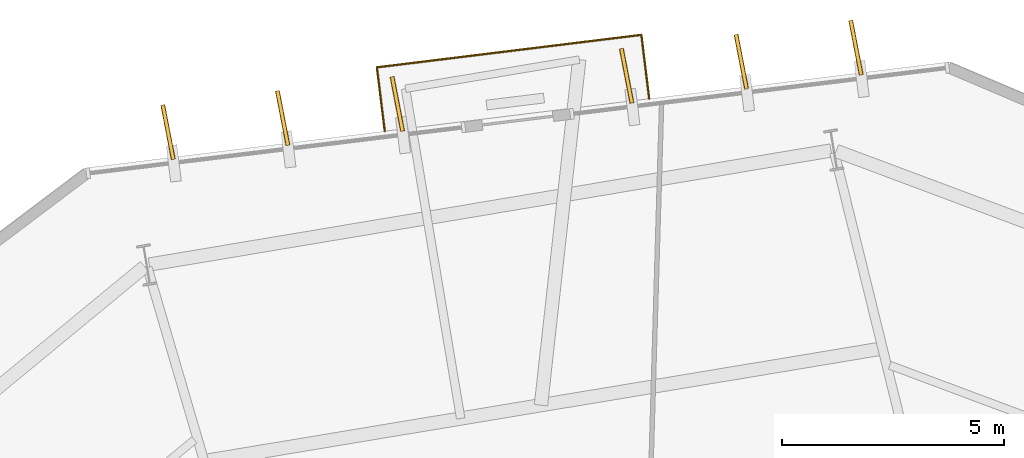
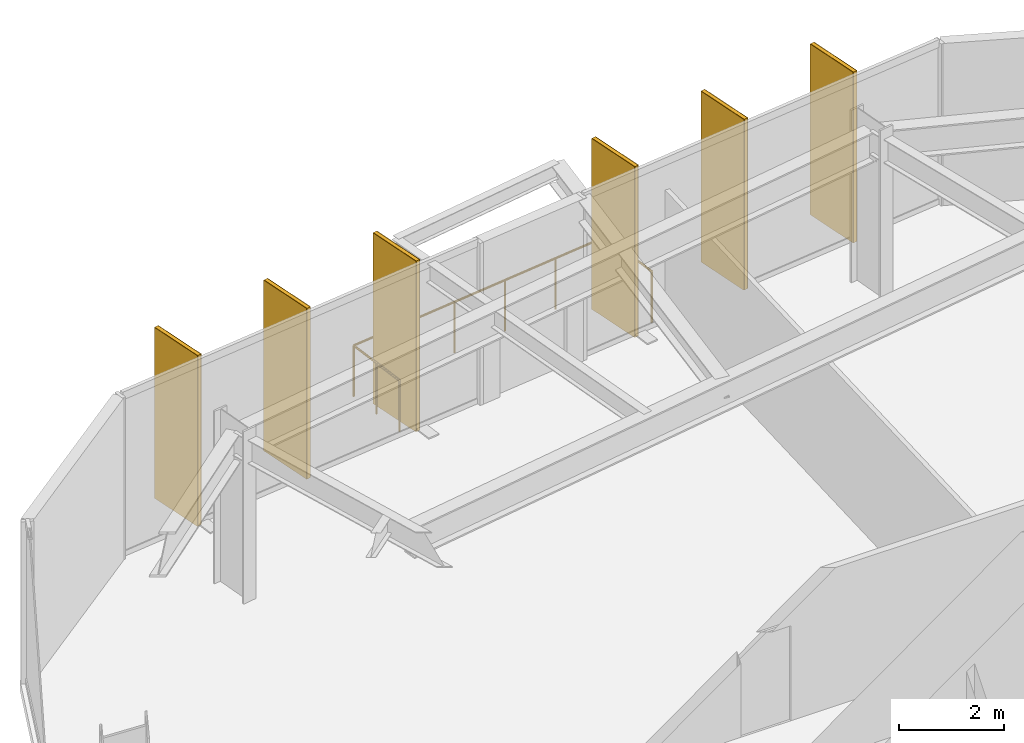
# One storey, part 11 of 11: 6 coverings, 6 shading devices, 1 railing.
"""IFC4 building model written with IfcOpenShell, lengths in metres."""

from ifc_helpers import new_model, si_unit, direction, frame, origin, origin_2d, place, context, subcontext, project, spatial, rectangle, circle, extrude, material, layer, layer_set, type_object, element, save


model = new_model("IFC4")

# Units and contexts
model_context = context("Model", 3, precision=1e-05, world=origin(), true_north=direction((0.0, 1.0)))
body_context = subcontext(model_context, "Body", "Model", "MODEL_VIEW")
ifc_project = project(units=[si_unit("LENGTHUNIT", "METRE"), si_unit("AREAUNIT", "SQUARE_METRE"), si_unit("VOLUMEUNIT", "CUBIC_METRE"), si_unit("PLANEANGLEUNIT", "RADIAN"), si_unit("MASSUNIT", "GRAM", prefix="KILO")], contexts=[model_context])

# Site, building, storey
site_placement = place(None, origin())
site = spatial("IfcSite", under=ifc_project, at=site_placement, CompositionType="ELEMENT")
building_placement = place(site_placement, origin())
building = spatial("IfcBuilding", under=site, at=building_placement, Name="Kranzbogen Civic Tower", CompositionType="ELEMENT")
storey_placement = place(building_placement, frame((0.0, 0.0, 48.0)))
storey = spatial("IfcBuildingStorey", under=building, at=storey_placement, Name="L11", CompositionType="ELEMENT", Elevation=48.0)

# Coverings
ifc_material_1 = material(Name="Pale Anodised Aluminium", Category="aluminium")
ifc_layer = layer(ifc_material_1, 0.02490234375, Name="Pale Anodised Aluminium")
ifc_layer_set = layer_set([ifc_layer], Name="Pale Anodised Aluminium")
covering_type = type_object("IfcCoveringType", Name="Anodised Aluminium Vertical Fin Cladding 25 mm", PredefinedType="CLADDING", material=ifc_layer_set)
for number, where, z_axis, x_axis, name in (
    (1, (30.006103515625, 47.87890625, -0.139892578125), (0.0, 0.0, 1.0), (-0.189866613158, 0.981809894637, 0.0), "L11 vertical fin pale-metal cladding F2-1"),
    (2, (27.426025390625, 47.56201171875, -0.139892578125), (0.0, 0.0, 1.0), (-0.189866613158, 0.981809894637, 0.0), "L11 vertical fin pale-metal cladding F2-2"),
    (3, (24.844970703125, 47.2451171875, -0.139892578125), (0.0, 0.0, 1.0), (-0.189866613158, 0.981809894637, 0.0), "L11 vertical fin pale-metal cladding F2-3"),
    (4, (19.68408203125, 46.612060546875, -0.139892578125), (0.0, 0.0, 1.0), (-0.189866613158, 0.981809894637, 0.0), "L11 vertical fin pale-metal cladding F2-5"),
    (5, (17.10302734375, 46.294921875, -0.139892578125), (0.0, 0.0, 1.0), (-0.189866613158, 0.981809894637, 0.0), "L11 vertical fin pale-metal cladding F2-6"),
    (6, (14.52294921875, 45.97802734375, -0.139892578125), (0.0, 0.0, 1.0), (-0.189866613158, 0.981809894637, 0.0), "L11 vertical fin pale-metal cladding F2-7"),
):
    element("IfcCovering", number, at=place(storey_placement, frame(where, z_axis=z_axis, x_axis=x_axis)), inside=storey, type_object=covering_type, Name=name, PredefinedType="CLADDING", context=body_context, shape_type="SweptSolid", body=[
        extrude(rectangle(XDim=1.25, YDim=0.10009765625, at=origin_2d()), origin(), (0.0, 0.0, 1.0), 3.9599609375),
    ])

# Shading devices
ifc_material_2 = material(Name="Anodised Bronze Aluminium", Category="aluminium")
shading_device_type = type_object("IfcShadingDeviceType", Name="Anodised Bronze Vertical Facade Fin 1250x80", PredefinedType="USERDEFINED", material=ifc_material_2)
for number, where, z_axis, x_axis, name in (
    (7, (30.006103515625, 47.87890625, -0.139892578125), (0.0, 0.0, 1.0), (-0.189866613158, 0.981809894637, 0.0), "L11 vertical exterior shading fin F2-1"),
    (8, (27.426025390625, 47.56201171875, -0.139892578125), (0.0, 0.0, 1.0), (-0.189866613158, 0.981809894637, 0.0), "L11 vertical exterior shading fin F2-2"),
    (9, (24.844970703125, 47.2451171875, -0.139892578125), (0.0, 0.0, 1.0), (-0.189866613158, 0.981809894637, 0.0), "L11 vertical exterior shading fin F2-3"),
    (10, (19.68408203125, 46.612060546875, -0.139892578125), (0.0, 0.0, 1.0), (-0.189866613158, 0.981809894637, 0.0), "L11 vertical exterior shading fin F2-5"),
    (11, (17.10302734375, 46.294921875, -0.139892578125), (0.0, 0.0, 1.0), (-0.189866613158, 0.981809894637, 0.0), "L11 vertical exterior shading fin F2-6"),
    (12, (14.52294921875, 45.97802734375, -0.139892578125), (0.0, 0.0, 1.0), (-0.189866613158, 0.981809894637, 0.0), "L11 vertical exterior shading fin F2-7"),
):
    element("IfcShadingDevice", number, at=place(storey_placement, frame(where, z_axis=z_axis, x_axis=x_axis)), inside=storey, type_object=shading_device_type, Name=name, ObjectType="FIN", PredefinedType="USERDEFINED", context=body_context, shape_type="SweptSolid", body=[
        extrude(rectangle(XDim=1.25, YDim=0.080078125, at=origin_2d()), origin(), (0.0, 0.0, 1.0), 3.9599609375),
    ])

# Railing
railing_type = type_object("IfcRailingType", Name="Cantilevered Balcony Glass and Bronze Balustrade 1200", PredefinedType="BALUSTRADE", material=ifc_material_2)
railing_placement = place(storey_placement, frame((25.35400390625, 46.72998046875, 0.0)))
element("IfcRailing", 13, at=railing_placement, inside=storey, type_object=railing_type, Name="L11 exterior terrace balustrade L11-TB2", PredefinedType="BALUSTRADE", context=body_context, shape_type="SweptSolid", body=[
    extrude(circle(Radius=0.02392578125, at=origin_2d()), frame((0.0, 0.0, 1.17578125), z_axis=(-0.122086296168, 0.992519489123, 0.0), x_axis=(-0.992519489123, -0.122086296168, 0.0)), (0.0, 0.0, 1.0), 1.44970703125),
    extrude(circle(Radius=0.02392578125, at=origin_2d()), frame((-0.177001953125, 1.43896484375, 1.17578125), z_axis=(-0.99255088108, -0.121830819037, 0.0), x_axis=(0.121830819037, -0.99255088108, 0.0)), (0.0, 0.0, 1.0), 5.999755859375),
    extrude(circle(Radius=0.02392578125, at=origin_2d()), frame((-6.132080078125, 0.7080078125, 1.17578125), z_axis=(0.122086296168, -0.992519489123, 0.0), x_axis=(0.992519489123, 0.122086296168, 0.0)), (0.0, 0.0, 1.0), 1.44970703125),
    extrude(circle(Radius=0.02099609375, at=origin_2d()), origin(), (0.0, 0.0, 1.0), 1.15185546875),
    extrude(circle(Radius=0.02099609375, at=origin_2d()), frame((-0.08837890625, 0.719482421875, 0.0)), (0.0, 0.0, 1.0), 1.15185546875),
    extrude(circle(Radius=0.02099609375, at=origin_2d()), frame((-0.177001953125, 1.43896484375, 0.0)), (0.0, 0.0, 1.0), 1.15185546875),
    extrude(circle(Radius=0.02099609375, at=origin_2d()), frame((-1.367919921875, 1.292724609375, 0.0)), (0.0, 0.0, 1.0), 1.15185546875),
    extrude(circle(Radius=0.02099609375, at=origin_2d()), frame((-2.55908203125, 1.146484375, 0.0)), (0.0, 0.0, 1.0), 1.15185546875),
    extrude(circle(Radius=0.02099609375, at=origin_2d()), frame((-3.75, 1.00048828125, 0.0)), (0.0, 0.0, 1.0), 1.15185546875),
    extrude(circle(Radius=0.02099609375, at=origin_2d()), frame((-4.941162109375, 0.854248046875, 0.0)), (0.0, 0.0, 1.0), 1.15185546875),
    extrude(circle(Radius=0.02099609375, at=origin_2d()), frame((-6.132080078125, 0.7080078125, 0.0)), (0.0, 0.0, 1.0), 1.15185546875),
    extrude(circle(Radius=0.02099609375, at=origin_2d()), frame((-6.04345703125, -0.011474609375, 0.0)), (0.0, 0.0, 1.0), 1.15185546875),
    extrude(circle(Radius=0.02099609375, at=origin_2d()), frame((-5.955078125, -0.73095703125, 0.0)), (0.0, 0.0, 1.0), 1.15185546875),
])

save(model, "model.ifc")
